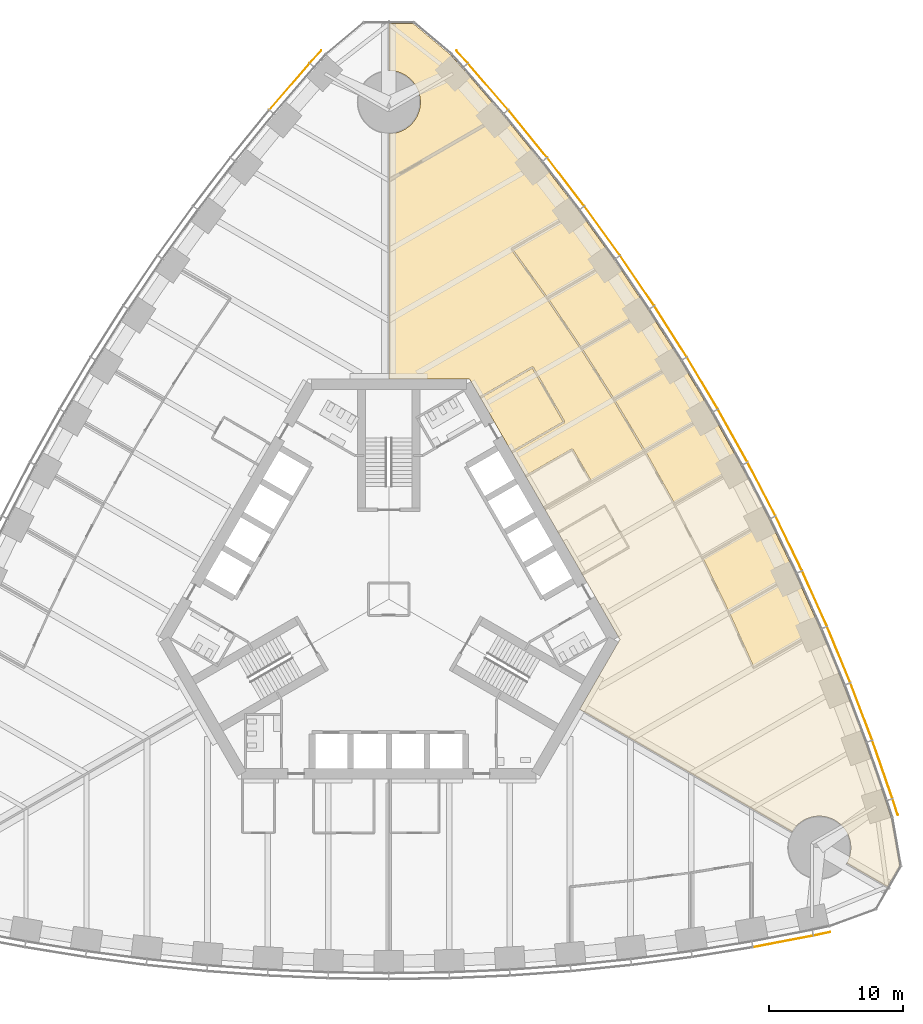
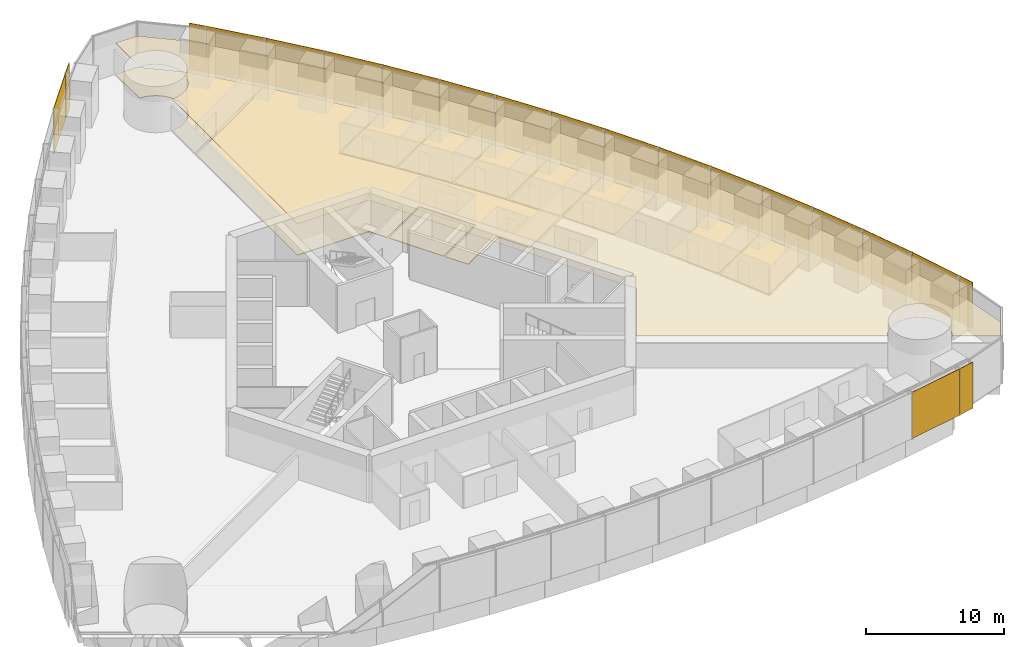
# One storey, part 17 of 19: 20 shading devices, 11 coverings.
"""IFC4 building model written with IfcOpenShell, lengths in metres."""

from ifc_helpers import new_model, si_unit, direction, frame, origin, origin_2d, place, context, subcontext, project, spatial, polyline, rectangle, outline, extrude, material, layer, layer_set, type_object, element, save


model = new_model("IFC4")

# Units and contexts
model_context = context("Model", 3, precision=1e-05, world=origin(), true_north=direction((0.0, 1.0)))
body_context = subcontext(model_context, "Body", "Model", "MODEL_VIEW")
ifc_project = project(units=[si_unit("LENGTHUNIT", "METRE"), si_unit("AREAUNIT", "SQUARE_METRE"), si_unit("VOLUMEUNIT", "CUBIC_METRE"), si_unit("PLANEANGLEUNIT", "RADIAN"), si_unit("MASSUNIT", "GRAM", prefix="KILO")], contexts=[model_context])

# Site, building, storey
site_placement = place(None, origin())
site = spatial("IfcSite", under=ifc_project, at=site_placement, CompositionType="ELEMENT")
building_placement = place(site_placement, origin())
building = spatial("IfcBuilding", under=site, at=building_placement, Name="Trefoil Bronze Tower", CompositionType="ELEMENT")
storey_placement = place(building_placement, frame((0.0, 0.0, 79.5)))
storey = spatial("IfcBuildingStorey", under=building, at=storey_placement, Name="L18", CompositionType="ELEMENT", Elevation=79.5)

# Shading devices
ifc_material_1 = material(Name="Perforated bronze sheet", Category="bronze")
ifc_layer_1 = layer(ifc_material_1, 0.0400390625)
ifc_layer_set_1 = layer_set([ifc_layer_1], Name="Bronze solar screen panel")
shading_device_type = type_object("IfcShadingDeviceType", Name="Bronze solar screen panel", PredefinedType="SHUTTER", material=ifc_layer_set_1)
shading_device_1_placement = place(storey_placement, frame((29.351806640625, -25.478515625, 0.050048828125), z_axis=(0.0, 0.0, 1.0), x_axis=(0.982049823817, 0.188621694249, 0.0)))
element("IfcShadingDevice", 1, at=shading_device_1_placement, inside=storey, type_object=shading_device_type, Name="Solar screen CW-A L18 F1 bay 15", PredefinedType="SHUTTER", context=body_context, shape_type="SweptSolid", body=[
    extrude(rectangle(XDim=4.55224609375, YDim=0.0400390625, at=origin_2d()), origin(), (0.0, 0.0, 1.0), 4.10009765625),
])
for number, where, z_axis, x_axis, name in (
    (2, (32.2431640625, -24.91064453125, 0.050048828125), (0.0, 0.0, 1.0), (0.978302717041, 0.207180582657, 0.0), "Solar screen CW-A L18 F1 bay 16"),
    (3, (37.69482421875, -15.468017578125, 0.050048828125), (0.0, 0.0, 1.0), (-0.309727710769, 0.950825296877, 0.0), "Solar screen CW-A L18 F2 bay 1"),
):
    element("IfcShadingDevice", number, at=place(storey_placement, frame(where, z_axis=z_axis, x_axis=x_axis)), inside=storey, type_object=shading_device_type, Name=name, PredefinedType="SHUTTER", context=body_context, shape_type="SweptSolid", body=[
        extrude(rectangle(XDim=1.260498046875, YDim=0.0400390625, at=origin_2d()), origin(), (0.0, 0.0, 1.0), 4.10009765625),
    ])
shading_device_2_placement = place(storey_placement, frame((36.740966796875, -12.68017578125, 0.050048828125), z_axis=(0.0, 0.0, 1.0), x_axis=(-0.327673732984, 0.944790942332, 0.0)))
element("IfcShadingDevice", 4, at=shading_device_2_placement, inside=storey, type_object=shading_device_type, Name="Solar screen CW-A L18 F2 bay 2", PredefinedType="SHUTTER", context=body_context, shape_type="SweptSolid", body=[
    extrude(rectangle(XDim=4.55224609375, YDim=0.0400390625, at=origin_2d()), origin(), (0.0, 0.0, 1.0), 4.10009765625),
])
shading_device_3_placement = place(storey_placement, frame((35.1748046875, -8.3701171875, 0.050048828125), z_axis=(0.0, 0.0, 1.0), x_axis=(-0.355370585687, 0.934725492767, 0.0)))
element("IfcShadingDevice", 5, at=shading_device_3_placement, inside=storey, type_object=shading_device_type, Name="Solar screen CW-A L18 F2 bay 3", PredefinedType="SHUTTER", context=body_context, shape_type="SweptSolid", body=[
    extrude(rectangle(XDim=4.5283203125, YDim=0.0400390625, at=origin_2d()), origin(), (0.0, 0.0, 1.0), 4.10009765625),
])
shading_device_4_placement = place(storey_placement, frame((33.49072265625, -4.128173828125, 0.050048828125), z_axis=(0.0, 0.0, 1.0), x_axis=(-0.382629580712, 0.923901836758, 0.0)))
element("IfcShadingDevice", 6, at=shading_device_4_placement, inside=storey, type_object=shading_device_type, Name="Solar screen CW-A L18 F2 bay 4", PredefinedType="SHUTTER", context=body_context, shape_type="SweptSolid", body=[
    extrude(rectangle(XDim=4.5087890625, YDim=0.0400390625, at=origin_2d()), origin(), (0.0, 0.0, 1.0), 4.10009765625),
])
shading_device_5_placement = place(storey_placement, frame((31.68994140625, 0.04638671875, 0.050048828125), z_axis=(0.0, 0.0, 1.0), x_axis=(-0.40945635808, 0.912329705111, 0.0)))
element("IfcShadingDevice", 7, at=shading_device_5_placement, inside=storey, type_object=shading_device_type, Name="Solar screen CW-A L18 F2 bay 5", PredefinedType="SHUTTER", context=body_context, shape_type="SweptSolid", body=[
    extrude(rectangle(XDim=4.493408203125, YDim=0.0400390625, at=origin_2d()), origin(), (0.0, 0.0, 1.0), 4.10009765625),
])
shading_device_6_placement = place(storey_placement, frame((29.77392578125, 4.154541015625, 0.050048828125), z_axis=(0.0, 0.0, 1.0), x_axis=(-0.4358553457, 0.900016731858, 0.0)))
element("IfcShadingDevice", 8, at=shading_device_6_placement, inside=storey, type_object=shading_device_type, Name="Solar screen CW-A L18 F2 bay 6", PredefinedType="SHUTTER", context=body_context, shape_type="SweptSolid", body=[
    extrude(rectangle(XDim=4.48193359375, YDim=0.0400390625, at=origin_2d()), origin(), (0.0, 0.0, 1.0), 4.10009765625),
])
shading_device_7_placement = place(storey_placement, frame((27.74365234375, 8.1962890625, 0.050048828125), z_axis=(0.0, 0.0, 1.0), x_axis=(-0.46182981834, 0.886968555752, 0.0)))
element("IfcShadingDevice", 9, at=shading_device_7_placement, inside=storey, type_object=shading_device_type, Name="Solar screen CW-A L18 F2 bay 7", PredefinedType="SHUTTER", context=body_context, shape_type="SweptSolid", body=[
    extrude(rectangle(XDim=4.474365234375, YDim=0.0400390625, at=origin_2d()), origin(), (0.0, 0.0, 1.0), 4.10009765625),
])
for number, where, z_axis, x_axis, name in (
    (10, (25.599365234375, 12.172607421875, 0.050048828125), (0.0, 0.0, 1.0), (-0.487381940453, 0.873188893722, 0.0), "Solar screen CW-A L18 F2 bay 8"),
    (11, (23.341552734375, 16.083251953125, 0.050048828125), (0.0, 0.0, 1.0), (-0.51251279404, 0.858679588639, 0.0), "Solar screen CW-A L18 F2 bay 9"),
):
    element("IfcShadingDevice", number, at=place(storey_placement, frame(where, z_axis=z_axis, x_axis=x_axis)), inside=storey, type_object=shading_device_type, Name=name, PredefinedType="SHUTTER", context=body_context, shape_type="SweptSolid", body=[
        extrude(rectangle(XDim=4.470458984375, YDim=0.0400390625, at=origin_2d()), origin(), (0.0, 0.0, 1.0), 4.10009765625),
    ])
shading_device_8_placement = place(storey_placement, frame((20.97021484375, 19.928466796875, 0.050048828125), z_axis=(0.0, 0.0, 1.0), x_axis=(-0.537222392469, 0.843440632783, 0.0)))
element("IfcShadingDevice", 12, at=shading_device_8_placement, inside=storey, type_object=shading_device_type, Name="Solar screen CW-A L18 F2 bay 10", PredefinedType="SHUTTER", context=body_context, shape_type="SweptSolid", body=[
    extrude(rectangle(XDim=4.474365234375, YDim=0.0400390625, at=origin_2d()), origin(), (0.0, 0.0, 1.0), 4.10009765625),
])
shading_device_9_placement = place(storey_placement, frame((18.48486328125, 23.707763671875, 0.050048828125), z_axis=(0.0, 0.0, 1.0), x_axis=(-0.56150968077, 0.827470167681, 0.0)))
element("IfcShadingDevice", 13, at=shading_device_9_placement, inside=storey, type_object=shading_device_type, Name="Solar screen CW-A L18 F2 bay 11", PredefinedType="SHUTTER", context=body_context, shape_type="SweptSolid", body=[
    extrude(rectangle(XDim=4.48193359375, YDim=0.0400390625, at=origin_2d()), origin(), (0.0, 0.0, 1.0), 4.10009765625),
])
shading_device_10_placement = place(storey_placement, frame((15.88525390625, 27.421142578125, 0.050048828125), z_axis=(0.0, 0.0, 1.0), x_axis=(-0.585372522213, 0.810764460394, 0.0)))
element("IfcShadingDevice", 14, at=shading_device_10_placement, inside=storey, type_object=shading_device_type, Name="Solar screen CW-A L18 F2 bay 12", PredefinedType="SHUTTER", context=body_context, shape_type="SweptSolid", body=[
    extrude(rectangle(XDim=4.493408203125, YDim=0.0400390625, at=origin_2d()), origin(), (0.0, 0.0, 1.0), 4.10009765625),
])
shading_device_11_placement = place(storey_placement, frame((13.170166015625, 31.06787109375, 0.050048828125), z_axis=(0.0, 0.0, 1.0), x_axis=(-0.608807670879, 0.793317855515, 0.0)))
element("IfcShadingDevice", 15, at=shading_device_11_placement, inside=storey, type_object=shading_device_type, Name="Solar screen CW-A L18 F2 bay 13", PredefinedType="SHUTTER", context=body_context, shape_type="SweptSolid", body=[
    extrude(rectangle(XDim=4.5087890625, YDim=0.0400390625, at=origin_2d()), origin(), (0.0, 0.0, 1.0), 4.10009765625),
])
shading_device_12_placement = place(storey_placement, frame((10.338623046875, 34.6474609375, 0.050048828125), z_axis=(0.0, 0.0, 1.0), x_axis=(-0.631810729457, 0.775122701346, 0.0)))
element("IfcShadingDevice", 16, at=shading_device_12_placement, inside=storey, type_object=shading_device_type, Name="Solar screen CW-A L18 F2 bay 14", PredefinedType="SHUTTER", context=body_context, shape_type="SweptSolid", body=[
    extrude(rectangle(XDim=4.5283203125, YDim=0.0400390625, at=origin_2d()), origin(), (0.0, 0.0, 1.0), 4.10009765625),
])
shading_device_13_placement = place(storey_placement, frame((7.38916015625, 38.15869140625, 0.050048828125), z_axis=(0.0, 0.0, 1.0), x_axis=(-0.654376090833, 0.756169248083, 0.0)))
element("IfcShadingDevice", 17, at=shading_device_13_placement, inside=storey, type_object=shading_device_type, Name="Solar screen CW-A L18 F2 bay 15", PredefinedType="SHUTTER", context=body_context, shape_type="SweptSolid", body=[
    extrude(rectangle(XDim=4.55224609375, YDim=0.0400390625, at=origin_2d()), origin(), (0.0, 0.0, 1.0), 4.10009765625),
])
for number, where, z_axis, x_axis, name in (
    (18, (5.45166015625, 40.378662109375, 0.050048828125), (0.0, 0.0, 1.0), (-0.668575006272, 0.743644714221, 0.0), "Solar screen CW-A L18 F2 bay 16"),
    (19, (-5.45166015625, 40.378662109375, 0.050048828125), (0.0, 0.0, 1.0), (-0.668575006272, -0.743644714221, 0.0), "Solar screen CW-A L18 F3 bay 1"),
):
    element("IfcShadingDevice", number, at=place(storey_placement, frame(where, z_axis=z_axis, x_axis=x_axis)), inside=storey, type_object=shading_device_type, Name=name, PredefinedType="SHUTTER", context=body_context, shape_type="SweptSolid", body=[
        extrude(rectangle(XDim=1.260498046875, YDim=0.0400390625, at=origin_2d()), origin(), (0.0, 0.0, 1.0), 4.10009765625),
    ])
shading_device_14_placement = place(storey_placement, frame((-7.38916015625, 38.15869140625, 0.050048828125), z_axis=(0.0, 0.0, 1.0), x_axis=(-0.654376090833, -0.756169248083, 0.0)))
element("IfcShadingDevice", 20, at=shading_device_14_placement, inside=storey, type_object=shading_device_type, Name="Solar screen CW-A L18 F3 bay 2", PredefinedType="SHUTTER", context=body_context, shape_type="SweptSolid", body=[
    extrude(rectangle(XDim=4.55224609375, YDim=0.0400390625, at=origin_2d()), origin(), (0.0, 0.0, 1.0), 4.10009765625),
])

# Coverings
ifc_material_2 = material(Name="Acoustic ceiling panels", Category="mineral fibre")
ifc_layer_2 = layer(ifc_material_2, 0.02001953125)
ifc_layer_set_2 = layer_set([ifc_layer_2], Name="Office ceiling 20")
covering_type_1 = type_object("IfcCoveringType", Name="Office ceiling 20", PredefinedType="CEILING", material=ifc_layer_set_2)
covering_1_placement = place(storey_placement, frame((0.0, 0.0, 2.89990234375)))
element("IfcCovering", 21, at=covering_1_placement, inside=storey, type_object=covering_type_1, Name="Ceiling L18 Open-plan office F2", PredefinedType="CEILING", context=body_context, shape_type="SweptSolid", body=[
    extrude(outline(polyline([(5.4814453125, 39.537841796875), (8.47998046875, 36.072998046875), (11.360107421875, 32.53955078125), (14.123291015625, 28.938720703125), (16.771240234375, 25.271484375), (19.3046875, 21.537841796875), (21.724609375, 17.73876953125), (24.031005859375, 13.87451171875), (26.224609375, 9.944580078125), (28.3046875, 5.949462890625), (30.271240234375, 1.888671875), (32.123291015625, -2.23828125), (33.860107421875, -6.431640625), (35.47998046875, -10.6923828125), (36.9814453125, -15.021728515625), (37.381103515625, -16.248779296875), (38.0146484375, -19.841552734375), (37.110595703125, -21.4072265625), (34.084716796875, -19.661865234375), (34.115478515625, -19.60791015625), (34.167236328125, -19.5048828125), (34.214111328125, -19.3994140625), (34.255615234375, -19.291748046875), (34.291748046875, -19.18212890625), (34.322509765625, -19.071044921875), (34.347900390625, -18.95849609375), (34.367431640625, -18.8447265625), (34.381591796875, -18.730224609375), (34.39013671875, -18.615234375), (34.392822265625, -18.5), (34.39013671875, -18.384765625), (34.381591796875, -18.269775390625), (34.367431640625, -18.1552734375), (34.347900390625, -18.04150390625), (34.322509765625, -17.928955078125), (34.291748046875, -17.81787109375), (34.255615234375, -17.708251953125), (34.214111328125, -17.6005859375), (34.167236328125, -17.4951171875), (34.115478515625, -17.39208984375), (34.05859375, -17.2919921875), (33.996826171875, -17.1943359375), (33.930419921875, -17.10009765625), (33.859619140625, -17.00927734375), (33.7841796875, -16.921875), (33.70458984375, -16.83837890625), (33.62109375, -16.7587890625), (33.53369140625, -16.683349609375), (33.44287109375, -16.612548828125), (33.348388671875, -16.5458984375), (33.251220703125, -16.484375), (33.150634765625, -16.427490234375), (33.047607421875, -16.37548828125), (32.942138671875, -16.328857421875), (32.834716796875, -16.287353515625), (32.72509765625, -16.251220703125), (32.614013671875, -16.220458984375), (32.50146484375, -16.1953125), (32.3876953125, -16.17529296875), (32.273193359375, -16.161376953125), (32.158203125, -16.15283203125), (32.04296875, -16.14990234375), (31.927490234375, -16.15283203125), (31.8125, -16.161376953125), (31.697998046875, -16.17529296875), (31.58447265625, -16.1953125), (31.471923828125, -16.220458984375), (31.36083984375, -16.251220703125), (31.251220703125, -16.287353515625), (31.1435546875, -16.328857421875), (31.0380859375, -16.37548828125), (30.935302734375, -16.427490234375), (30.834716796875, -16.484375), (30.7373046875, -16.5458984375), (30.64306640625, -16.612548828125), (30.552001953125, -16.683349609375), (30.46484375, -16.7587890625), (30.381103515625, -16.83837890625), (30.3017578125, -16.921875), (30.226318359375, -17.00927734375), (30.155517578125, -17.10009765625), (30.089111328125, -17.1943359375), (30.02734375, -17.2919921875), (30.0146484375, -17.31396484375), (14.205810546875, -8.194580078125), (17.205078125, -3.0), (6.00439453125, 16.39990234375), (0.006103515625, 16.39990234375), (0.012939453125, 34.650390625), (0.115234375, 34.65283203125), (0.230224609375, 34.661376953125), (0.3447265625, 34.67529296875), (0.45849609375, 34.6953125), (0.571044921875, 34.720458984375), (0.68212890625, 34.751220703125), (0.791748046875, 34.787353515625), (0.8994140625, 34.828857421875), (1.0048828125, 34.87548828125), (1.10791015625, 34.927490234375), (1.2080078125, 34.984375), (1.3056640625, 35.0458984375), (1.39990234375, 35.112548828125), (1.49072265625, 35.183349609375), (1.578125, 35.2587890625), (1.66162109375, 35.33837890625), (1.7412109375, 35.421875), (1.816650390625, 35.50927734375), (1.887451171875, 35.60009765625), (1.9541015625, 35.6943359375), (2.015625, 35.7919921875), (2.072509765625, 35.89208984375), (2.12451171875, 35.9951171875), (2.171142578125, 36.1005859375), (2.212646484375, 36.208251953125), (2.248779296875, 36.31787109375), (2.279541015625, 36.428955078125), (2.3046875, 36.54150390625), (2.32470703125, 36.6552734375), (2.338623046875, 36.769775390625), (2.34716796875, 36.884765625), (2.35009765625, 37.0), (2.34716796875, 37.115234375), (2.338623046875, 37.230224609375), (2.32470703125, 37.3447265625), (2.3046875, 37.45849609375), (2.279541015625, 37.571044921875), (2.248779296875, 37.68212890625), (2.212646484375, 37.791748046875), (2.171142578125, 37.8994140625), (2.12451171875, 38.0048828125), (2.072509765625, 38.10791015625), (2.015625, 38.2080078125), (1.9541015625, 38.3056640625), (1.887451171875, 38.39990234375), (1.816650390625, 38.49072265625), (1.7412109375, 38.578125), (1.66162109375, 38.66162109375), (1.578125, 38.7412109375), (1.49072265625, 38.816650390625), (1.39990234375, 38.887451171875), (1.3056640625, 38.9541015625), (1.2080078125, 39.015625), (1.10791015625, 39.072509765625), (1.0048828125, 39.12451171875), (0.8994140625, 39.171142578125), (0.791748046875, 39.212646484375), (0.68212890625, 39.248779296875), (0.571044921875, 39.279541015625), (0.45849609375, 39.3046875), (0.3447265625, 39.32470703125), (0.230224609375, 39.338623046875), (0.115234375, 39.34716796875), (0.014892578125, 39.349609375), (0.01611328125, 42.84228515625), (1.82421875, 42.84228515625), (4.618896484375, 40.497314453125), (5.4814453125, 39.537841796875)])), origin(), (0.0, 0.0, 1.0), 0.02001953125),
])
ifc_material_3 = material(Name="Raised access floor panels", Category="steel")
ifc_layer_3 = layer(ifc_material_3, 0.050048828125)
ifc_layer_set_3 = layer_set([ifc_layer_3], Name="Raised access floor 150")
covering_type_2 = type_object("IfcCoveringType", Name="Raised access floor 150", PredefinedType="FLOORING", material=ifc_layer_set_3)
covering_2_placement = place(storey_placement, frame((0.0, 0.0, 0.10009765625)))
element("IfcCovering", 22, at=covering_2_placement, inside=storey, type_object=covering_type_2, Name="Raised floor L18 Boardroom F2", PredefinedType="FLOORING", context=body_context, shape_type="SweptSolid", body=[
    extrude(outline(polyline([(8.47998046875, 36.072998046875), (7.046630859375, 35.245361328125), (6.99658203125, 35.331787109375), (0.01171875, 31.29931640625), (0.012939453125, 34.650390625), (0.115234375, 34.65283203125), (0.230224609375, 34.661376953125), (0.3447265625, 34.67529296875), (0.45849609375, 34.6953125), (0.571044921875, 34.720458984375), (0.68212890625, 34.751220703125), (0.791748046875, 34.787353515625), (0.8994140625, 34.828857421875), (1.0048828125, 34.87548828125), (1.10791015625, 34.927490234375), (1.2080078125, 34.984375), (1.3056640625, 35.0458984375), (1.39990234375, 35.112548828125), (1.49072265625, 35.183349609375), (1.578125, 35.2587890625), (1.66162109375, 35.33837890625), (1.7412109375, 35.421875), (1.816650390625, 35.50927734375), (1.887451171875, 35.60009765625), (1.9541015625, 35.6943359375), (2.015625, 35.7919921875), (2.072509765625, 35.89208984375), (2.12451171875, 35.9951171875), (2.171142578125, 36.1005859375), (2.212646484375, 36.208251953125), (2.248779296875, 36.31787109375), (2.279541015625, 36.428955078125), (2.3046875, 36.54150390625), (2.32470703125, 36.6552734375), (2.338623046875, 36.769775390625), (2.34716796875, 36.884765625), (2.35009765625, 37.0), (2.34716796875, 37.115234375), (2.338623046875, 37.230224609375), (2.32470703125, 37.3447265625), (2.3046875, 37.45849609375), (2.279541015625, 37.571044921875), (2.248779296875, 37.68212890625), (2.212646484375, 37.791748046875), (2.171142578125, 37.8994140625), (2.12451171875, 38.0048828125), (2.072509765625, 38.10791015625), (2.015625, 38.2080078125), (1.9541015625, 38.3056640625), (1.887451171875, 38.39990234375), (1.816650390625, 38.49072265625), (1.7412109375, 38.578125), (1.66162109375, 38.66162109375), (1.578125, 38.7412109375), (1.49072265625, 38.816650390625), (1.39990234375, 38.887451171875), (1.3056640625, 38.9541015625), (1.2080078125, 39.015625), (1.10791015625, 39.072509765625), (1.0048828125, 39.12451171875), (0.8994140625, 39.171142578125), (0.791748046875, 39.212646484375), (0.68212890625, 39.248779296875), (0.571044921875, 39.279541015625), (0.45849609375, 39.3046875), (0.3447265625, 39.32470703125), (0.230224609375, 39.338623046875), (0.115234375, 39.34716796875), (0.014892578125, 39.349609375), (0.01611328125, 42.84228515625), (1.82421875, 42.84228515625), (4.618896484375, 40.497314453125), (5.4814453125, 39.537841796875), (8.47998046875, 36.072998046875)])), origin(), (0.0, 0.0, 1.0), 0.0498046875),
])
covering_3_placement = place(storey_placement, frame((0.0, 0.0, 0.10009765625)))
element("IfcCovering", 23, at=covering_3_placement, inside=storey, type_object=covering_type_2, Name="Raised floor L18 Reception F2", PredefinedType="FLOORING", context=body_context, shape_type="SweptSolid", body=[
    extrude(outline(polyline([(6.834716796875, 14.9619140625), (10.679931640625, 17.181884765625), (12.969970703125, 13.215576171875), (9.124755859375, 10.99560546875), (6.834716796875, 14.9619140625)])), origin(), (0.0, 0.0, 1.0), 0.0498046875),
])
covering_4_placement = place(storey_placement, frame((0.0, 0.0, 0.10009765625)))
element("IfcCovering", 24, at=covering_4_placement, inside=storey, type_object=covering_type_2, Name="Raised floor L18 Office F2", PredefinedType="FLOORING", context=body_context, shape_type="SweptSolid", body=[
    extrude(outline(polyline([(16.771240234375, 25.271484375), (15.354248046875, 24.453369140625), (15.32421875, 24.505126953125), (11.80859375, 22.475341796875), (9.231201171875, 26.044921875), (12.732177734375, 28.06640625), (12.7021484375, 28.1181640625), (14.123291015625, 28.938720703125), (16.771240234375, 25.271484375)])), origin(), (0.0, 0.0, 1.0), 0.0498046875),
])
covering_5_placement = place(storey_placement, frame((0.0, 0.0, 0.10009765625)))
element("IfcCovering", 25, at=covering_5_placement, inside=storey, type_object=covering_type_2, Name="Raised floor L18 Office F2", PredefinedType="FLOORING", context=body_context, shape_type="SweptSolid", body=[
    extrude(outline(polyline([(16.771240234375, 25.271484375), (19.3046875, 21.537841796875), (17.890869140625, 20.721435546875), (17.86083984375, 20.7734375), (14.343505859375, 18.742919921875), (11.87744140625, 22.376708984375), (15.38427734375, 24.4013671875), (15.354248046875, 24.453369140625), (16.771240234375, 25.271484375)])), origin(), (0.0, 0.0, 1.0), 0.0498046875),
])
covering_6_placement = place(storey_placement, frame((0.0, 0.0, 0.10009765625)))
element("IfcCovering", 26, at=covering_6_placement, inside=storey, type_object=covering_type_2, Name="Raised floor L18 Office F2", PredefinedType="FLOORING", context=body_context, shape_type="SweptSolid", body=[
    extrude(outline(polyline([(21.724609375, 17.73876953125), (20.312255859375, 16.923583984375), (20.2822265625, 16.975341796875), (16.7646484375, 14.944580078125), (14.409423828125, 18.642333984375), (17.9208984375, 20.669677734375), (17.890869140625, 20.721435546875), (19.3046875, 21.537841796875), (21.724609375, 17.73876953125)])), origin(), (0.0, 0.0, 1.0), 0.0498046875),
])
covering_7_placement = place(storey_placement, frame((0.0, 0.0, 0.10009765625)))
element("IfcCovering", 27, at=covering_7_placement, inside=storey, type_object=covering_type_2, Name="Raised floor L18 Office F2", PredefinedType="FLOORING", context=body_context, shape_type="SweptSolid", body=[
    extrude(outline(polyline([(21.724609375, 17.73876953125), (24.031005859375, 13.87451171875), (22.619384765625, 13.059326171875), (22.58203125, 13.124267578125), (19.06494140625, 11.09375), (16.82763671875, 14.84228515625), (20.34228515625, 16.87158203125), (20.312255859375, 16.923583984375), (21.724609375, 17.73876953125)])), origin(), (0.0, 0.0, 1.0), 0.0498046875),
])
covering_8_placement = place(storey_placement, frame((0.0, 0.0, 0.10009765625)))
element("IfcCovering", 28, at=covering_8_placement, inside=storey, type_object=covering_type_2, Name="Raised floor L18 Office F2", PredefinedType="FLOORING", context=body_context, shape_type="SweptSolid", body=[
    extrude(outline(polyline([(24.031005859375, 13.87451171875), (26.224609375, 9.944580078125), (24.812255859375, 9.12939453125), (24.7822265625, 9.18115234375), (21.267578125, 7.152099609375), (19.139892578125, 10.9638671875), (22.656982421875, 12.994384765625), (22.619384765625, 13.059326171875), (24.031005859375, 13.87451171875)])), origin(), (0.0, 0.0, 1.0), 0.0498046875),
])
covering_9_placement = place(storey_placement, frame((0.0, 0.0, 0.10009765625)))
element("IfcCovering", 29, at=covering_9_placement, inside=storey, type_object=covering_type_2, Name="Raised floor L18 Office F2", PredefinedType="FLOORING", context=body_context, shape_type="SweptSolid", body=[
    extrude(outline(polyline([(28.3046875, 5.949462890625), (30.271240234375, 1.888671875), (28.854248046875, 1.070556640625), (28.82421875, 1.12255859375), (25.3173828125, -0.902099609375), (23.4033203125, 3.05029296875), (26.9208984375, 5.0810546875), (26.890869140625, 5.133056640625), (28.3046875, 5.949462890625)])), origin(), (0.0, 0.0, 1.0), 0.0498046875),
])
covering_10_placement = place(storey_placement, frame((0.0, 0.0, 0.10009765625)))
element("IfcCovering", 30, at=covering_10_placement, inside=storey, type_object=covering_type_2, Name="Raised floor L18 Meeting room F2", PredefinedType="FLOORING", context=body_context, shape_type="SweptSolid", body=[
    extrude(outline(polyline([(32.123291015625, -2.23828125), (30.7021484375, -3.05859375), (30.672119140625, -3.006591796875), (27.17138671875, -5.028076171875), (25.36865234375, -1.01123046875), (28.88427734375, 1.0185546875), (28.854248046875, 1.070556640625), (30.271240234375, 1.888671875), (32.123291015625, -2.23828125)])), origin(), (0.0, 0.0, 1.0), 0.0498046875),
])
covering_11_placement = place(storey_placement, frame((0.0, 0.0, 0.10009765625)))
element("IfcCovering", 31, at=covering_11_placement, inside=storey, type_object=covering_type_2, Name="Raised floor L18 Open-plan office F2", PredefinedType="FLOORING", context=body_context, shape_type="SweptSolid", body=[
    extrude(outline(polyline([(0.01171875, 31.18359375), (0.054931640625, 31.208740234375), (0.10498046875, 31.1220703125), (7.0966796875, 35.15869140625), (7.046630859375, 35.245361328125), (8.47998046875, 36.072998046875), (11.360107421875, 32.53955078125), (14.123291015625, 28.938720703125), (12.7021484375, 28.1181640625), (12.672119140625, 28.170166015625), (9.11376953125, 26.11572265625), (9.143798828125, 26.063720703125), (9.09521484375, 26.028564453125), (11.742431640625, 22.36181640625), (14.27490234375, 18.6298828125), (16.69384765625, 14.832275390625), (18.9609375, 11.03369140625), (15.03125, 8.764892578125), (15.00634765625, 8.808349609375), (15.058349609375, 8.83837890625), (13.708251953125, 11.176513671875), (13.65625, 11.146484375), (13.626220703125, 11.198486328125), (10.162109375, 9.198486328125), (9.184814453125, 10.8916015625), (13.081787109375, 13.1416015625), (13.052001953125, 13.193603515625), (13.103759765625, 13.223388671875), (10.75390625, 17.293701171875), (10.701904296875, 17.263916015625), (10.671875, 17.31591796875), (6.774658203125, 15.06591796875), (6.00439453125, 16.39990234375), (0.006103515625, 16.39990234375), (0.01171875, 31.18359375)])), origin(), (0.0, 0.0, 1.0), 0.0498046875),
])

save(model, "model.ifc")
